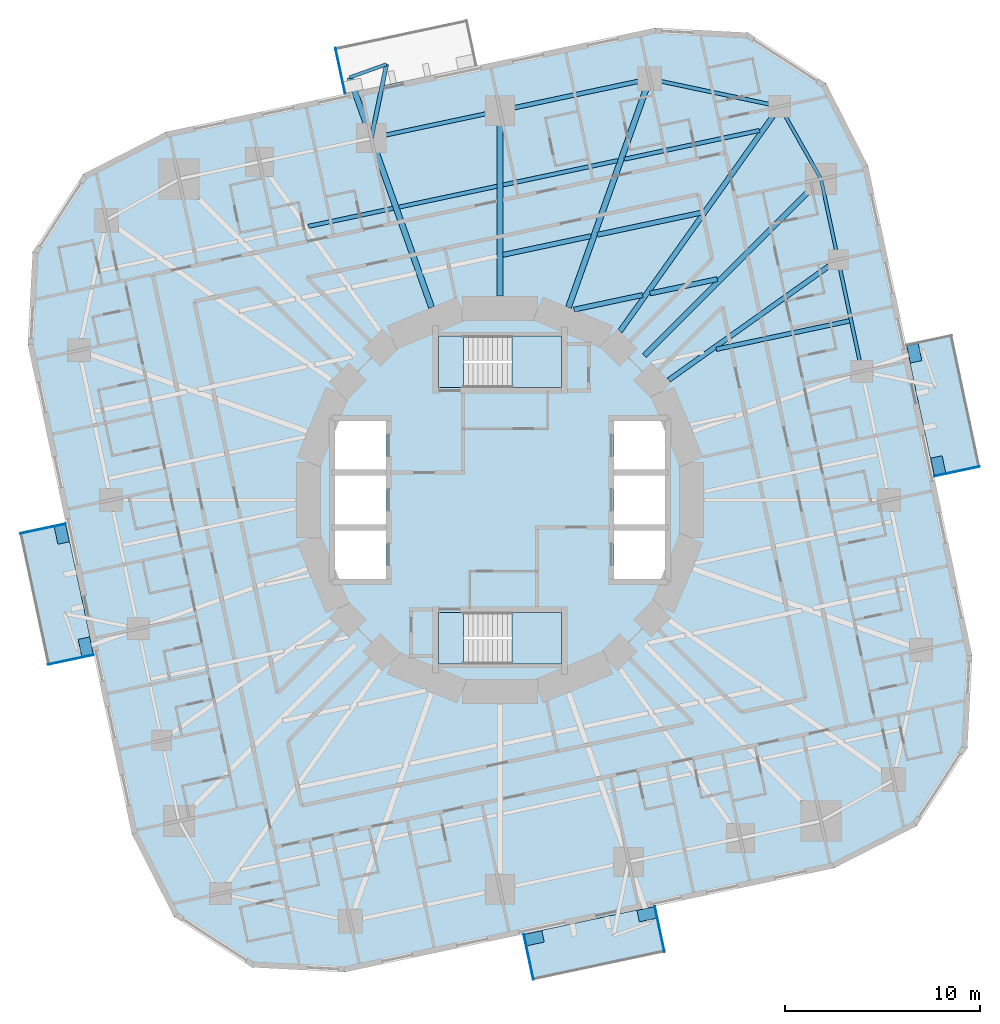
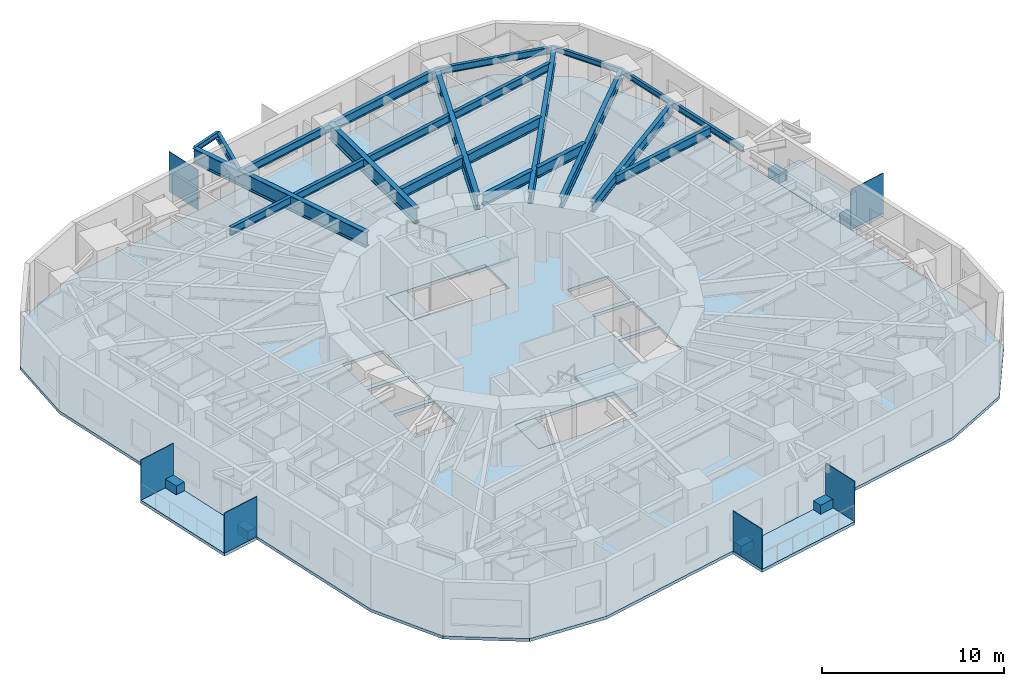
# One storey, part 3 of 14: 23 beams, 12 plates, 8 slabs, 2 elements without a shape of their own.
"""IFC4 building model written with IfcOpenShell, lengths in metres."""

from ifc_helpers import new_model, si_unit, direction, frame, origin, origin_2d, place, context, subcontext, project, spatial, polyline, rectangle, i_section, outline, extrude, material, layer, layer_set, material_profile, profile_set, type_object, element, aggregate, save


model = new_model("IFC4")

# Units and contexts
model_context = context("Model", 3, precision=1e-05, world=origin(), true_north=direction((0.0, 1.0)))
body_context = subcontext(model_context, "Body", "Model", "MODEL_VIEW")
ifc_project = project(units=[si_unit("LENGTHUNIT", "METRE"), si_unit("AREAUNIT", "SQUARE_METRE"), si_unit("VOLUMEUNIT", "CUBIC_METRE"), si_unit("PLANEANGLEUNIT", "RADIAN"), si_unit("MASSUNIT", "GRAM", prefix="KILO")], contexts=[model_context])

# Site, building, storey
site_placement = place(None, origin())
site = spatial("IfcSite", under=ifc_project, at=site_placement, CompositionType="ELEMENT")
building_placement = place(site_placement, origin())
building = spatial("IfcBuilding", under=site, at=building_placement, Name="Nakasero Lantern House", CompositionType="ELEMENT")
storey_placement = place(building_placement, frame((0.0, 0.0, 128.10009765625)))
storey = spatial("IfcBuildingStorey", under=building, at=storey_placement, Name="L31", CompositionType="ELEMENT", Elevation=128.10009765625)

# Beams
ifc_material_1 = material(Name="Steel S355", Category="steel")
ifc_material_profile_1 = material_profile(ifc_material_1, i_section(OverallWidth=0.2138671875, OverallDepth=0.549072265625, WebThickness=0.0146484375, FlangeThickness=0.023681640625, FilletRadius=0.0126953125, at=origin_2d()), Name="UB 533x210x138")
ifc_profile_set_1 = profile_set([ifc_material_profile_1], Name="Steel S355")
beam_type_1 = type_object("IfcBeamType", Name="Balcony splay beam UB 533x210x138", PredefinedType="BEAM", material=ifc_profile_set_1)
beam_1_placement = place(storey_placement, frame((-6.590087890625, 18.534912109375, 3.375244140625), z_axis=(0.201831438605, 0.979420272605, 0.0), x_axis=(-0.979420272605, 0.201831438605, 0.0)))
element("IfcBeam", 1, at=beam_1_placement, inside=storey, type_object=beam_type_1, Name="Balcony splay beam L32 B3-C10A", PredefinedType="BEAM", context=body_context, shape_type="SweptSolid", body=[
    extrude(i_section(OverallWidth=0.2138671875, OverallDepth=0.549072265625, WebThickness=0.0146484375, FlangeThickness=0.023681640625, FilletRadius=0.0126953125, at=origin_2d()), origin(), (0.0, 0.0, 1.0), 3.858642578125),
])
ifc_material_2 = material(Name="Steel S355", Category="steel")
ifc_material_profile_2 = material_profile(ifc_material_2, i_section(OverallWidth=0.17138671875, OverallDepth=0.35498046875, WebThickness=0.00732421875, FlangeThickness=0.011474609375, FilletRadius=0.01025390625, at=origin_2d()), Name="UB 356x171x51")
ifc_profile_set_2 = profile_set([ifc_material_profile_2], Name="Steel S355")
beam_type_2 = type_object("IfcBeamType", Name="Balcony tie beam UB 356x171x51", PredefinedType="BEAM", material=ifc_profile_set_2)
beam_2_placement = place(storey_placement, frame((-5.811279296875, 22.314208984375, 3.472412109375), z_axis=(-0.942196708721, -0.335060236487, 0.0), x_axis=(0.335060236487, -0.942196708721, 0.0)))
element("IfcBeam", 2, at=beam_2_placement, inside=storey, type_object=beam_type_2, Name="Balcony tie beam L32 B3-C10", PredefinedType="BEAM", context=body_context, shape_type="SweptSolid", body=[
    extrude(i_section(OverallWidth=0.17138671875, OverallDepth=0.35498046875, WebThickness=0.00732421875, FlangeThickness=0.011474609375, FilletRadius=0.01025390625, at=origin_2d()), origin(), (0.0, 0.0, 1.0), 2.000244140625),
])
ifc_material_3 = material(Name="Steel S355", Category="steel")
ifc_material_profile_3 = material_profile(ifc_material_3, i_section(OverallWidth=0.2099609375, OverallDepth=0.53662109375, WebThickness=0.0107421875, FlangeThickness=0.017333984375, FilletRadius=0.0126953125, at=origin_2d()), Name="UB 533x210x101")
ifc_profile_set_3 = profile_set([ifc_material_profile_3], Name="Steel S355")
beam_type_3 = type_object("IfcBeamType", Name="Infill beam UB 533x210x101", PredefinedType="JOIST", material=ifc_profile_set_3)
beam_3_placement = place(storey_placement, frame((-9.810302734375, 14.0166015625, 3.381591796875), z_axis=(0.978149057111, 0.207904838982, 0.0), x_axis=(-0.207904838982, 0.978149057111, 0.0)))
element("IfcBeam", 3, at=beam_3_placement, inside=storey, type_object=beam_type_3, Name="Infill beam L32 12.4", PredefinedType="JOIST", context=body_context, shape_type="SweptSolid", body=[
    extrude(i_section(OverallWidth=0.2099609375, OverallDepth=0.53662109375, WebThickness=0.0107421875, FlangeThickness=0.017333984375, FilletRadius=0.0126953125, at=origin_2d()), origin(), (0.0, 0.0, 1.0), 4.435302734375),
])
beam_4_placement = place(storey_placement, frame((-5.173828125, 15.002197265625, 3.381591796875), z_axis=(0.978153894908, 0.207882076853, 0.0), x_axis=(-0.207882076853, 0.978153894908, 0.0)))
element("IfcBeam", 4, at=beam_4_placement, inside=storey, type_object=beam_type_3, Name="Infill beam L32 12.5", PredefinedType="JOIST", context=body_context, shape_type="SweptSolid", body=[
    extrude(i_section(OverallWidth=0.2099609375, OverallDepth=0.53662109375, WebThickness=0.0107421875, FlangeThickness=0.017333984375, FilletRadius=0.0126953125, at=origin_2d()), origin(), (0.0, 0.0, 1.0), 5.13330078125),
])
beam_5_placement = place(storey_placement, frame((0.152587890625, 16.13427734375, 3.381591796875), z_axis=(0.978149438519, 0.207903044531, 0.0), x_axis=(-0.207903044531, 0.978149438519, 0.0)))
element("IfcBeam", 5, at=beam_5_placement, inside=storey, type_object=beam_type_3, Name="Infill beam L32 12.6", PredefinedType="JOIST", context=body_context, shape_type="SweptSolid", body=[
    extrude(i_section(OverallWidth=0.2099609375, OverallDepth=0.53662109375, WebThickness=0.0107421875, FlangeThickness=0.017333984375, FilletRadius=0.0126953125, at=origin_2d()), origin(), (0.0, 0.0, 1.0), 5.99951171875),
])
beam_6_placement = place(storey_placement, frame((6.365478515625, 17.454833984375, 3.381591796875), z_axis=(0.978149480204, 0.207902848411, 0.0), x_axis=(-0.207902848411, 0.978149480204, 0.0)))
element("IfcBeam", 6, at=beam_6_placement, inside=storey, type_object=beam_type_3, Name="Infill beam L32 12.7", PredefinedType="JOIST", context=body_context, shape_type="SweptSolid", body=[
    extrude(i_section(OverallWidth=0.2099609375, OverallDepth=0.53662109375, WebThickness=0.0107421875, FlangeThickness=0.017333984375, FilletRadius=0.0126953125, at=origin_2d()), origin(), (0.0, 0.0, 1.0), 7.085693359375),
])
ifc_material_4 = material(Name="Steel S355", Category="steel")
ifc_material_profile_4 = material_profile(ifc_material_4, i_section(OverallWidth=0.2275390625, OverallDepth=0.6025390625, WebThickness=0.010498046875, FlangeThickness=0.014892578125, FilletRadius=0.0126953125, at=origin_2d()), Name="UB 610x229x101")
ifc_profile_set_4 = profile_set([ifc_material_profile_4], Name="Steel S355")
beam_type_4 = type_object("IfcBeamType", Name="Infill beam UB 610x229x101", PredefinedType="JOIST", material=ifc_profile_set_4)
beam_7_placement = place(storey_placement, frame((11.077880859375, 7.721923828125, 3.3486328125), z_axis=(0.978143535939, 0.207930813255, 0.0), x_axis=(-0.207930813255, 0.978143535939, 0.0)))
element("IfcBeam", 7, at=beam_7_placement, inside=storey, type_object=beam_type_4, Name="Infill beam L32 09.3", PredefinedType="JOIST", context=body_context, shape_type="SweptSolid", body=[
    extrude(i_section(OverallWidth=0.2275390625, OverallDepth=0.6025390625, WebThickness=0.010498046875, FlangeThickness=0.014892578125, FilletRadius=0.0126953125, at=origin_2d()), origin(), (0.0, 0.0, 1.0), 6.9697265625),
])
ifc_material_5 = material(Name="Steel S355", Category="steel")
ifc_material_profile_5 = material_profile(ifc_material_5, i_section(OverallWidth=0.253662109375, OverallDepth=0.68359375, WebThickness=0.012451171875, FlangeThickness=0.01904296875, FilletRadius=0.01513671875, at=origin_2d()), Name="UB 686x254x140")
ifc_profile_set_5 = profile_set([ifc_material_profile_5], Name="Steel S355")
beam_type_5 = type_object("IfcBeamType", Name="Infill beam UB 686x254x140", PredefinedType="JOIST", material=ifc_profile_set_5)
beam_8_placement = place(storey_placement, frame((0.152587890625, 12.55615234375, 3.30810546875), z_axis=(0.978148041119, 0.207909618957, 0.0), x_axis=(-0.207909618957, 0.978148041119, 0.0)))
element("IfcBeam", 8, at=beam_8_placement, inside=storey, type_object=beam_type_5, Name="Infill beam L32 11.5", PredefinedType="JOIST", context=body_context, shape_type="SweptSolid", body=[
    extrude(i_section(OverallWidth=0.253662109375, OverallDepth=0.68359375, WebThickness=0.012451171875, FlangeThickness=0.01904296875, FilletRadius=0.01513671875, at=origin_2d()), origin(), (0.0, 0.0, 1.0), 4.592529296875),
])
beam_9_placement = place(storey_placement, frame((4.989013671875, 13.584228515625, 3.30810546875), z_axis=(0.978155764637, 0.207873278962, 0.0), x_axis=(-0.207873278962, 0.978155764637, 0.0)))
element("IfcBeam", 9, at=beam_9_placement, inside=storey, type_object=beam_type_5, Name="Infill beam L32 11.6", PredefinedType="JOIST", context=body_context, shape_type="SweptSolid", body=[
    extrude(i_section(OverallWidth=0.253662109375, OverallDepth=0.68359375, WebThickness=0.012451171875, FlangeThickness=0.01904296875, FilletRadius=0.01513671875, at=origin_2d()), origin(), (0.0, 0.0, 1.0), 5.428466796875),
])
ifc_material_6 = material(Name="Steel S355", Category="steel")
ifc_material_profile_6 = material_profile(ifc_material_6, i_section(OverallWidth=0.255859375, OverallDepth=0.69287109375, WebThickness=0.014404296875, FlangeThickness=0.023681640625, FilletRadius=0.01513671875, at=origin_2d()), Name="UB 686x254x170")
ifc_profile_set_6 = profile_set([ifc_material_profile_6], Name="Steel S355")
beam_type_6 = type_object("IfcBeamType", Name="Infill beam UB 686x254x170", PredefinedType="JOIST", material=ifc_profile_set_6)
beam_10_placement = place(storey_placement, frame((3.78759765625, 9.75048828125, 3.303466796875), z_axis=(0.978149176892, 0.207904275439, 0.0), x_axis=(-0.207904275439, 0.978149176892, 0.0)))
element("IfcBeam", 10, at=beam_10_placement, inside=storey, type_object=beam_type_6, Name="Infill beam L32 10.4", PredefinedType="JOIST", context=body_context, shape_type="SweptSolid", body=[
    extrude(i_section(OverallWidth=0.255859375, OverallDepth=0.69287109375, WebThickness=0.014404296875, FlangeThickness=0.023681640625, FilletRadius=0.01513671875, at=origin_2d()), origin(), (0.0, 0.0, 1.0), 3.59228515625),
])
beam_11_placement = place(storey_placement, frame((7.686767578125, 10.579345703125, 3.303466796875), z_axis=(0.978149156314, 0.207904372253, 0.0), x_axis=(-0.207904372253, 0.978149156314, 0.0)))
element("IfcBeam", 11, at=beam_11_placement, inside=storey, type_object=beam_type_6, Name="Infill beam L32 10.5", PredefinedType="JOIST", context=body_context, shape_type="SweptSolid", body=[
    extrude(i_section(OverallWidth=0.255859375, OverallDepth=0.69287109375, WebThickness=0.014404296875, FlangeThickness=0.023681640625, FilletRadius=0.01513671875, at=origin_2d()), origin(), (0.0, 0.0, 1.0), 3.5205078125),
])
ifc_material_7 = material(Name="Steel S355", Category="steel")
ifc_material_profile_7 = material_profile(ifc_material_7, i_section(OverallWidth=0.300048828125, OverallDepth=0.989990234375, WebThickness=0.0166015625, FlangeThickness=0.031005859375, FilletRadius=0.030029296875, at=origin_2d()), Name="UB 1016x305x272")
ifc_profile_set_7 = profile_set([ifc_material_profile_7], Name="Steel S355")
beam_type_7 = type_object("IfcBeamType", Name="Primary beam UB 1016x305x272, span 12 to 15 m", PredefinedType="BEAM", material=ifc_profile_set_7)
beam_12_placement = place(storey_placement, frame((7.667724609375, 21.5654296875, 3.15478515625), z_axis=(-0.335011995103, -0.942213862739, 0.0), x_axis=(0.942213862739, -0.335011995103, 0.0)))
element("IfcBeam", 12, at=beam_12_placement, inside=storey, type_object=beam_type_7, Name="Primary beam L32 B3-C08", PredefinedType="BEAM", context=body_context, shape_type="SweptSolid", body=[
    extrude(i_section(OverallWidth=0.300048828125, OverallDepth=0.989990234375, WebThickness=0.0166015625, FlangeThickness=0.031005859375, FilletRadius=0.030029296875, at=origin_2d()), origin(), (0.0, 0.0, 1.0), 12.41650390625),
])
ifc_material_8 = material(Name="Steel S355", Category="steel")
ifc_material_profile_8 = material_profile(ifc_material_8, i_section(OverallWidth=0.302001953125, OverallDepth=1.008056640625, WebThickness=0.02099609375, FlangeThickness=0.0400390625, FilletRadius=0.030029296875, at=origin_2d()), Name="UB 1016x305x349")
ifc_profile_set_8 = profile_set([ifc_material_profile_8], Name="Steel S355")
beam_type_8 = type_object("IfcBeamType", Name="Primary beam UB 1016x305x349, span 9 to 12 m", PredefinedType="BEAM", material=ifc_profile_set_8)
beam_13_placement = place(storey_placement, frame((-7.69580078125, 21.64404296875, 3.145751953125), z_axis=(0.335020841845, -0.942210717159, 0.0), x_axis=(0.942210717159, 0.335020841845, 0.0)))
element("IfcBeam", 13, at=beam_13_placement, inside=storey, type_object=beam_type_8, Name="Primary beam L32 B3-C10", PredefinedType="BEAM", context=body_context, shape_type="SweptSolid", body=[
    extrude(i_section(OverallWidth=0.302001953125, OverallDepth=1.008056640625, WebThickness=0.02099609375, FlangeThickness=0.0400390625, FilletRadius=0.030029296875, at=origin_2d()), origin(), (0.0, 0.0, 1.0), 12.5),
])
ifc_material_9 = material(Name="Steel S355", Category="steel")
ifc_material_profile_9 = material_profile(ifc_material_9, i_section(OverallWidth=0.305419921875, OverallDepth=1.026123046875, WebThickness=0.02685546875, FlangeThickness=0.049072265625, FilletRadius=0.030029296875, at=origin_2d()), Name="UB 1016x305x437")
ifc_profile_set_9 = profile_set([ifc_material_profile_9], Name="Steel S355")
beam_type_9 = type_object("IfcBeamType", Name="Primary beam UB 1016x305x437, span 9 to 12 m", PredefinedType="BEAM", material=ifc_profile_set_9)
beam_14_placement = place(storey_placement, frame((0.0, 19.935546875, 3.136962890625), z_axis=(0.0, -1.0, 0.0), x_axis=(1.0, 0.0, 0.0)))
element("IfcBeam", 14, at=beam_14_placement, inside=storey, type_object=beam_type_9, Name="Primary beam L32 B3-C09", PredefinedType="BEAM", context=body_context, shape_type="SweptSolid", body=[
    extrude(i_section(OverallWidth=0.305419921875, OverallDepth=1.026123046875, WebThickness=0.02685546875, FlangeThickness=0.049072265625, FilletRadius=0.030029296875, at=origin_2d()), origin(), (0.0, 0.0, 1.0), 9.477783203125),
])
ifc_material_10 = material(Name="Steel S355", Category="steel")
ifc_material_profile_10 = material_profile(ifc_material_10, i_section(OverallWidth=0.253662109375, OverallDepth=0.68359375, WebThickness=0.012451171875, FlangeThickness=0.01904296875, FilletRadius=0.01513671875, at=origin_2d()), Name="UB 686x254x140")
ifc_profile_set_10 = profile_set([ifc_material_profile_10], Name="Steel S355")
beam_type_10 = type_object("IfcBeamType", Name="Primary beam UB 686x254x140, span 9 to 12 m", PredefinedType="BEAM", material=ifc_profile_set_10)
beam_15_placement = place(storey_placement, frame((17.318115234375, 12.31494140625, 3.30810546875), z_axis=(-0.814957491022, -0.579520739774, 0.0), x_axis=(0.579520739774, -0.814957491022, 0.0)))
element("IfcBeam", 15, at=beam_15_placement, inside=storey, type_object=beam_type_10, Name="Primary beam L32 B3-C05", PredefinedType="BEAM", context=body_context, shape_type="SweptSolid", body=[
    extrude(i_section(OverallWidth=0.253662109375, OverallDepth=0.68359375, WebThickness=0.012451171875, FlangeThickness=0.01904296875, FilletRadius=0.01513671875, at=origin_2d()), origin(), (0.0, 0.0, 1.0), 10.64453125),
])
ifc_material_11 = material(Name="Steel S355", Category="steel")
ifc_material_profile_11 = material_profile(ifc_material_11, i_section(OverallWidth=0.255859375, OverallDepth=0.69287109375, WebThickness=0.014404296875, FlangeThickness=0.023681640625, FilletRadius=0.01513671875, at=origin_2d()), Name="UB 686x254x170")
ifc_profile_set_11 = profile_set([ifc_material_profile_11], Name="Steel S355")
beam_type_11 = type_object("IfcBeamType", Name="Primary beam UB 686x254x170, span 12 to 15 m", PredefinedType="BEAM", material=ifc_profile_set_11)
beam_16_placement = place(storey_placement, frame((16.44091796875, 16.44091796875, 3.303466796875), z_axis=(-0.707106781187, -0.707106781187, 0.0), x_axis=(0.707106781187, -0.707106781187, 0.0)))
element("IfcBeam", 16, at=beam_16_placement, inside=storey, type_object=beam_type_11, Name="Primary beam L32 B3-C06", PredefinedType="BEAM", context=body_context, shape_type="SweptSolid", body=[
    extrude(i_section(OverallWidth=0.255859375, OverallDepth=0.69287109375, WebThickness=0.014404296875, FlangeThickness=0.023681640625, FilletRadius=0.01513671875, at=origin_2d()), origin(), (0.0, 0.0, 1.0), 12.793212890625),
])
ifc_material_12 = material(Name="Steel S355", Category="steel")
ifc_material_profile_12 = material_profile(ifc_material_12, i_section(OverallWidth=0.2666015625, OverallDepth=0.76220703125, WebThickness=0.014404296875, FlangeThickness=0.021484375, FilletRadius=0.0166015625, at=origin_2d()), Name="UB 762x267x173")
ifc_profile_set_12 = profile_set([ifc_material_profile_12], Name="Steel S355")
beam_type_12 = type_object("IfcBeamType", Name="Primary beam UB 762x267x173, span 12 to 15 m", PredefinedType="BEAM", material=ifc_profile_set_12)
beam_17_placement = place(storey_placement, frame((14.33349609375, 20.15625, 3.268798828125), z_axis=(-0.57953679421, -0.814946074386, 0.0), x_axis=(0.814946074386, -0.57953679421, 0.0)))
element("IfcBeam", 17, at=beam_17_placement, inside=storey, type_object=beam_type_12, Name="Primary beam L32 B3-C07", PredefinedType="BEAM", context=body_context, shape_type="SweptSolid", body=[
    extrude(i_section(OverallWidth=0.2666015625, OverallDepth=0.76220703125, WebThickness=0.014404296875, FlangeThickness=0.021484375, FilletRadius=0.0166015625, at=origin_2d()), origin(), (0.0, 0.0, 1.0), 14.127197265625),
])
ifc_material_13 = material(Name="Steel S355", Category="steel")
ifc_material_profile_13 = material_profile(ifc_material_13, i_section(OverallWidth=0.17138671875, OverallDepth=0.35498046875, WebThickness=0.00732421875, FlangeThickness=0.011474609375, FilletRadius=0.01025390625, at=origin_2d()), Name="UB 356x171x51")
ifc_profile_set_13 = profile_set([ifc_material_profile_13], Name="Steel S355")
beam_type_13 = type_object("IfcBeamType", Name="Ring beam UB 356x171x51", PredefinedType="BEAM", material=ifc_profile_set_13)
beam_18_placement = place(storey_placement, frame((17.318115234375, 12.31494140625, 3.472412109375), z_axis=(-0.207955665195, 0.978138252658, 0.0), x_axis=(-0.978138252658, -0.207955665195, 0.0)))
element("IfcBeam", 18, at=beam_18_placement, inside=storey, type_object=beam_type_13, Name="Ring beam L32 B3-C05", PredefinedType="BEAM", context=body_context, shape_type="SweptSolid", body=[
    extrude(i_section(OverallWidth=0.17138671875, OverallDepth=0.35498046875, WebThickness=0.00732421875, FlangeThickness=0.011474609375, FilletRadius=0.01025390625, at=origin_2d()), origin(), (0.0, 0.0, 1.0), 4.21826171875),
])
beam_19_placement = place(storey_placement, frame((16.44091796875, 16.44091796875, 3.472412109375), z_axis=(-0.493378832737, 0.869814536213, 0.0), x_axis=(-0.869814536213, -0.493378832737, 0.0)))
element("IfcBeam", 19, at=beam_19_placement, inside=storey, type_object=beam_type_13, Name="Ring beam L32 B3-C06", PredefinedType="BEAM", context=body_context, shape_type="SweptSolid", body=[
    extrude(i_section(OverallWidth=0.17138671875, OverallDepth=0.35498046875, WebThickness=0.00732421875, FlangeThickness=0.011474609375, FilletRadius=0.01025390625, at=origin_2d()), origin(), (0.0, 0.0, 1.0), 4.271484375),
])
ifc_material_14 = material(Name="Steel S355", Category="steel")
ifc_material_profile_14 = material_profile(ifc_material_14, i_section(OverallWidth=0.177978515625, OverallDepth=0.406494140625, WebThickness=0.0078125, FlangeThickness=0.0126953125, FilletRadius=0.01025390625, at=origin_2d()), Name="UB 406x178x60")
ifc_profile_set_14 = profile_set([ifc_material_profile_14], Name="Steel S355")
beam_type_14 = type_object("IfcBeamType", Name="Ring beam UB 406x178x60", PredefinedType="BEAM", material=ifc_profile_set_14)
beam_20_placement = place(storey_placement, frame((18.534912109375, 6.590087890625, 3.44677734375), z_axis=(-0.207902159541, 0.978149626621, 0.0), x_axis=(-0.978149626621, -0.207902159541, 0.0)))
element("IfcBeam", 20, at=beam_20_placement, inside=storey, type_object=beam_type_14, Name="Ring beam L32 B3-C04", PredefinedType="BEAM", context=body_context, shape_type="SweptSolid", body=[
    extrude(i_section(OverallWidth=0.177978515625, OverallDepth=0.406494140625, WebThickness=0.0078125, FlangeThickness=0.0126953125, FilletRadius=0.01025390625, at=origin_2d()), origin(), (0.0, 0.0, 1.0), 5.852783203125),
])
ifc_material_15 = material(Name="Steel S355", Category="steel")
ifc_material_profile_15 = material_profile(ifc_material_15, i_section(OverallWidth=0.18994140625, OverallDepth=0.453369140625, WebThickness=0.008544921875, FlangeThickness=0.0126953125, FilletRadius=0.01025390625, at=origin_2d()), Name="UB 457x191x67")
ifc_profile_set_15 = profile_set([ifc_material_profile_15], Name="Steel S355")
beam_type_15 = type_object("IfcBeamType", Name="Ring beam UB 457x191x67", PredefinedType="BEAM", material=ifc_profile_set_15)
beam_21_placement = place(storey_placement, frame((14.33349609375, 20.15625, 3.423095703125), z_axis=(-0.978376066473, 0.206833925052, 0.0), x_axis=(-0.206833925052, -0.978376066473, 0.0)))
element("IfcBeam", 21, at=beam_21_placement, inside=storey, type_object=beam_type_15, Name="Ring beam L32 B3-C07", PredefinedType="BEAM", context=body_context, shape_type="SweptSolid", body=[
    extrude(i_section(OverallWidth=0.18994140625, OverallDepth=0.453369140625, WebThickness=0.008544921875, FlangeThickness=0.0126953125, FilletRadius=0.01025390625, at=origin_2d()), origin(), (0.0, 0.0, 1.0), 6.81298828125),
])
ifc_material_16 = material(Name="Steel S355", Category="steel")
ifc_material_profile_16 = material_profile(ifc_material_16, i_section(OverallWidth=0.2099609375, OverallDepth=0.53662109375, WebThickness=0.0107421875, FlangeThickness=0.017333984375, FilletRadius=0.0126953125, at=origin_2d()), Name="UB 533x210x101")
ifc_profile_set_16 = profile_set([ifc_material_profile_16], Name="Steel S355")
beam_type_16 = type_object("IfcBeamType", Name="Ring beam UB 533x210x101", PredefinedType="BEAM", material=ifc_profile_set_16)
beam_22_placement = place(storey_placement, frame((0.0, 19.935546875, 3.381591796875), z_axis=(-0.978151574702, -0.20789299389, 0.0), x_axis=(0.20789299389, -0.978151574702, 0.0)))
element("IfcBeam", 22, at=beam_22_placement, inside=storey, type_object=beam_type_16, Name="Ring beam L32 B3-C09", PredefinedType="BEAM", context=body_context, shape_type="SweptSolid", body=[
    extrude(i_section(OverallWidth=0.2099609375, OverallDepth=0.53662109375, WebThickness=0.0107421875, FlangeThickness=0.017333984375, FilletRadius=0.0126953125, at=origin_2d()), origin(), (0.0, 0.0, 1.0), 6.7373046875),
])
ifc_material_17 = material(Name="Steel S355", Category="steel")
ifc_material_profile_17 = material_profile(ifc_material_17, i_section(OverallWidth=0.22900390625, OverallDepth=0.6123046875, WebThickness=0.011962890625, FlangeThickness=0.01953125, FilletRadius=0.0126953125, at=origin_2d()), Name="UB 610x229x125")
ifc_profile_set_17 = profile_set([ifc_material_profile_17], Name="Steel S355")
beam_type_17 = type_object("IfcBeamType", Name="Ring beam UB 610x229x125", PredefinedType="BEAM", material=ifc_profile_set_17)
beam_23_placement = place(storey_placement, frame((7.667724609375, 21.5654296875, 3.34375), z_axis=(-0.978146105516, -0.207918725139, 0.0), x_axis=(0.207918725139, -0.978146105516, 0.0)))
element("IfcBeam", 23, at=beam_23_placement, inside=storey, type_object=beam_type_17, Name="Ring beam L32 B3-C08", PredefinedType="BEAM", context=body_context, shape_type="SweptSolid", body=[
    extrude(i_section(OverallWidth=0.22900390625, OverallDepth=0.6123046875, WebThickness=0.011962890625, FlangeThickness=0.01953125, FilletRadius=0.0126953125, at=origin_2d()), origin(), (0.0, 0.0, 1.0), 7.839111328125),
])

# Plates
ifc_material_18 = material(Name="Aluminium 6063-T6", Category="aluminium")
ifc_layer_1 = layer(ifc_material_18, 0.60009765625)
ifc_layer_set_1 = layer_set([ifc_layer_1], Name="Balcony planter 600x900")
plate_type_1 = type_object("IfcPlateType", Name="Balcony planter 600x900", PredefinedType="USERDEFINED", material=ifc_layer_set_1)
for number, where, z_axis, x_axis, name in (
    (24, (22.443603515625, 1.764892578125, -0.000244140625), (0.0, 0.0, 1.0), (0.978147600734, 0.207911690818, 0.0), "Balcony PLANTER L31 BAL0A"),
    (25, (21.220947265625, 7.516357421875, -0.000244140625), (0.0, 0.0, 1.0), (0.978147600734, 0.207911690818, 0.0), "Balcony PLANTER L31 BAL0B"),
    (26, (-22.443603515625, -1.764892578125, -0.000244140625), (0.0, 0.0, 1.0), (-0.978147600734, -0.207911690818, 0.0), "Balcony PLANTER L31 BAL2A"),
    (27, (-21.220947265625, -7.516357421875, -0.000244140625), (0.0, 0.0, 1.0), (-0.978147600734, -0.207911690818, 0.0), "Balcony PLANTER L31 BAL2B"),
    (28, (1.764892578125, -22.443603515625, -0.000244140625), (0.0, 0.0, 1.0), (0.207911690818, -0.978147600734, 0.0), "Balcony PLANTER L31 BAL3A"),
    (29, (7.516357421875, -21.220947265625, -0.000244140625), (0.0, 0.0, 1.0), (0.207911690818, -0.978147600734, 0.0), "Balcony PLANTER L31 BAL3B"),
):
    element("IfcPlate", number, at=place(storey_placement, frame(where, z_axis=z_axis, x_axis=x_axis)), inside=storey, type_object=plate_type_1, Name=name, ObjectType="PLANTER", PredefinedType="USERDEFINED", context=body_context, shape_type="SweptSolid", body=[
        extrude(rectangle(XDim=0.60009765625, YDim=0.89990234375, at=origin_2d()), origin(), (0.0, 0.0, 1.0), 0.60009765625),
    ])
ifc_material_19 = material(Name="Aluminium 6063-T6", Category="aluminium")
ifc_layer_2 = layer(ifc_material_19, 0.0400390625)
ifc_layer_set_2 = layer_set([ifc_layer_2], Name="Balcony screen 2400x2700")
plate_type_2 = type_object("IfcPlateType", Name="Balcony screen 2400x2700", PredefinedType="SHEET", material=ifc_layer_set_2)
for number, where, z_axis, x_axis, name in (
    (30, (23.40625, 1.468505859375, 0.0), (0.0, 0.0, 1.0), (0.978147600734, 0.207911690818, 0.0), "Balcony SCREEN L31 BAL0A"),
    (31, (-8.1787109375, 21.97998046875, 0.0), (0.0, 0.0, 1.0), (-0.207911690818, 0.978147600734, 0.0), "Balcony SCREEN L31 BAL1B"),
    (32, (-23.40625, -1.468505859375, 0.0), (0.0, 0.0, 1.0), (-0.978147600734, -0.207911690818, 0.0), "Balcony SCREEN L31 BAL2A"),
    (33, (-21.97998046875, -8.1787109375, 0.0), (0.0, 0.0, 1.0), (-0.978147600734, -0.207911690818, 0.0), "Balcony SCREEN L31 BAL2B"),
    (34, (1.468505859375, -23.40625, 0.0), (0.0, 0.0, 1.0), (0.207911690818, -0.978147600734, 0.0), "Balcony SCREEN L31 BAL3A"),
    (35, (8.1787109375, -21.97998046875, 0.0), (0.0, 0.0, 1.0), (0.207911690818, -0.978147600734, 0.0), "Balcony SCREEN L31 BAL3B"),
):
    element("IfcPlate", number, at=place(storey_placement, frame(where, z_axis=z_axis, x_axis=x_axis)), inside=storey, type_object=plate_type_2, Name=name, PredefinedType="SHEET", context=body_context, shape_type="SweptSolid", body=[
        extrude(rectangle(XDim=2.39990234375, YDim=0.0400390625, at=origin_2d()), origin(), (0.0, 0.0, 1.0), 2.699951171875),
    ])

# Slabs
ifc_material_20 = material(Name="Concrete C35/45", Category="concrete")
ifc_layer_3 = layer(ifc_material_20, 0.199951171875)
ifc_layer_set_3 = layer_set([ifc_layer_3], Name="Balcony slab 200")
slab_type_1 = type_object("IfcSlabType", Name="Balcony slab 200", PredefinedType="USERDEFINED", material=ifc_layer_set_3)
slab_1_placement = place(storey_placement, frame((0.0, 0.0, -0.2001953125)))
element("IfcSlab", 36, at=slab_1_placement, inside=storey, type_object=slab_type_1, Name="Balcony L31 BAL0", ObjectType="BALCONY", PredefinedType="USERDEFINED", context=body_context, shape_type="SweptSolid", body=[
    extrude(outline(polyline([(22.236572265625, 1.199462890625), (24.583984375, 1.698486328125), (23.1494140625, 8.44775390625), (20.802001953125, 7.94873046875), (22.236572265625, 1.199462890625)])), origin(), (0.0, 0.0, 1.0), 0.2001953125),
])
slab_2_placement = place(storey_placement, frame((0.0, 0.0, -0.2001953125)))
element("IfcSlab", 37, at=slab_2_placement, inside=storey, type_object=slab_type_1, Name="Balcony L31 BAL2", ObjectType="BALCONY", PredefinedType="USERDEFINED", context=body_context, shape_type="SweptSolid", body=[
    extrude(outline(polyline([(-22.236572265625, -1.199462890625), (-24.583984375, -1.698486328125), (-23.1494140625, -8.44775390625), (-20.802001953125, -7.94873046875), (-22.236572265625, -1.199462890625)])), origin(), (0.0, 0.0, 1.0), 0.2001953125),
])
slab_3_placement = place(storey_placement, frame((0.0, 0.0, -0.2001953125)))
element("IfcSlab", 38, at=slab_3_placement, inside=storey, type_object=slab_type_1, Name="Balcony L31 BAL3", ObjectType="BALCONY", PredefinedType="USERDEFINED", context=body_context, shape_type="SweptSolid", body=[
    extrude(outline(polyline([(1.199462890625, -22.236572265625), (1.698486328125, -24.583984375), (8.44775390625, -23.1494140625), (7.94873046875, -20.802001953125), (1.199462890625, -22.236572265625)])), origin(), (0.0, 0.0, 1.0), 0.2001953125),
])
ifc_material_21 = material(Name="Concrete C35/45", Category="concrete")
ifc_layer_4 = layer(ifc_material_21, 0.199951171875)
ifc_layer_set_4 = layer_set([ifc_layer_4], Name="Composite floor slab 200")
slab_type_2 = type_object("IfcSlabType", Name="Composite floor slab 200", PredefinedType="FLOOR", material=ifc_layer_set_4)
slab_4_placement = place(storey_placement, frame((0.0, 0.0, -0.2001953125)))
element("IfcSlab", 39, at=slab_4_placement, inside=storey, type_object=slab_type_2, Name="Floor slab L31", PredefinedType="FLOOR", context=body_context, shape_type="SweptSolid", body=[
    extrude(outline(polyline([(18.85791015625, 17.09423828125), (16.696044921875, 21.337646484375), (12.701904296875, 23.931396484375), (7.9462890625, 24.180419921875), (-17.09423828125, 18.85791015625), (-21.337646484375, 16.696044921875), (-23.931396484375, 12.701904296875), (-24.180419921875, 7.9462890625), (-18.85791015625, -17.09423828125), (-16.696044921875, -21.337646484375), (-12.701904296875, -23.931396484375), (-7.9462890625, -24.180419921875), (17.09423828125, -18.85791015625), (21.337646484375, -16.696044921875), (23.931396484375, -12.701904296875), (24.180419921875, -7.9462890625), (18.85791015625, 17.09423828125)]), holes=[polyline([(-8.449951171875, -4.050048828125), (-5.85009765625, -4.050048828125), (-5.85009765625, -1.550048828125), (-8.449951171875, -1.550048828125), (-8.449951171875, -4.050048828125)]), polyline([(-8.449951171875, -1.25), (-5.85009765625, -1.25), (-5.85009765625, 1.25), (-8.449951171875, 1.25), (-8.449951171875, -1.25)]), polyline([(-8.449951171875, 1.550048828125), (-5.85009765625, 1.550048828125), (-5.85009765625, 4.050048828125), (-8.449951171875, 4.050048828125), (-8.449951171875, 1.550048828125)]), polyline([(5.85009765625, -4.050048828125), (8.449951171875, -4.050048828125), (8.449951171875, -1.550048828125), (5.85009765625, -1.550048828125), (5.85009765625, -4.050048828125)]), polyline([(5.85009765625, -1.25), (8.449951171875, -1.25), (8.449951171875, 1.25), (5.85009765625, 1.25), (5.85009765625, -1.25)]), polyline([(5.85009765625, 1.550048828125), (8.449951171875, 1.550048828125), (8.449951171875, 4.050048828125), (5.85009765625, 4.050048828125), (5.85009765625, 1.550048828125)]), polyline([(-3.14990234375, 5.75), (3.14990234375, 5.75), (3.14990234375, 8.39990234375), (-3.14990234375, 8.39990234375), (-3.14990234375, 5.75)]), polyline([(-3.14990234375, -8.39990234375), (3.14990234375, -8.39990234375), (3.14990234375, -5.75), (-3.14990234375, -5.75), (-3.14990234375, -8.39990234375)])]), origin(), (0.0, 0.0, 1.0), 0.2001953125),
])

# Stair, slabs
ifc_material_22 = material(Name="Concrete C40/50", Category="concrete")
stair_type_1 = type_object("IfcStairType", Name="Escape stair ST1 22 risers", PredefinedType="HALF_TURN_STAIR", material=ifc_material_22)
stair_1_placement = place(storey_placement, origin())
stair_1 = element("IfcStair", 40, at=stair_1_placement, inside=storey, type_object=stair_type_1, Name="Escape stair ST1 L31", PredefinedType="HALF_TURN_STAIR")
ifc_material_23 = material(Name="Concrete C40/50", Category="concrete")
ifc_layer_5 = layer(ifc_material_23, 0.199951171875)
ifc_layer_set_5 = layer_set([ifc_layer_5], Name="Stair landing 200")
slab_type_3 = type_object("IfcSlabType", Name="Stair landing 200", PredefinedType="LANDING", material=ifc_layer_set_5)
slab_5_placement = place(storey_placement, frame((0.0, 0.0, -0.2001953125)))
slab_5 = element("IfcSlab", 41, at=slab_5_placement, type_object=slab_type_3, Name="ST1 landing 1", PredefinedType="LANDING", context=body_context, shape_type="SweptSolid", body=[
    extrude(outline(polyline([(-3.14990234375, 5.75), (-1.875, 5.75), (-1.875, 8.39990234375), (-3.14990234375, 8.39990234375), (-3.14990234375, 5.75)])), origin(), (0.0, 0.0, 1.0), 0.2001953125),
])
slab_6_placement = place(storey_placement, frame((0.0, 0.0, 1.724853515625)))
slab_6 = element("IfcSlab", 42, at=slab_6_placement, type_object=slab_type_3, Name="ST1 landing 2", PredefinedType="LANDING", context=body_context, shape_type="SweptSolid", body=[
    extrude(outline(polyline([(0.625, 5.75), (3.14990234375, 5.75), (3.14990234375, 8.39990234375), (0.625, 8.39990234375), (0.625, 5.75)])), origin(), (0.0, 0.0, 1.0), 0.199951171875),
])
aggregate(stair_1, [slab_5, slab_6])

ifc_material_24 = material(Name="Concrete C40/50", Category="concrete")
stair_type_2 = type_object("IfcStairType", Name="Escape stair ST2 22 risers", PredefinedType="HALF_TURN_STAIR", material=ifc_material_24)
stair_2_placement = place(storey_placement, origin())
stair_2 = element("IfcStair", 43, at=stair_2_placement, inside=storey, type_object=stair_type_2, Name="Escape stair ST2 L31", PredefinedType="HALF_TURN_STAIR")
slab_7_placement = place(storey_placement, frame((0.0, 0.0, -0.2001953125)))
slab_7 = element("IfcSlab", 44, at=slab_7_placement, type_object=slab_type_3, Name="ST2 landing 1", PredefinedType="LANDING", context=body_context, shape_type="SweptSolid", body=[
    extrude(outline(polyline([(-3.14990234375, -8.39990234375), (-1.875, -8.39990234375), (-1.875, -5.75), (-3.14990234375, -5.75), (-3.14990234375, -8.39990234375)])), origin(), (0.0, 0.0, 1.0), 0.2001953125),
])
slab_8_placement = place(storey_placement, frame((0.0, 0.0, 1.724853515625)))
slab_8 = element("IfcSlab", 45, at=slab_8_placement, type_object=slab_type_3, Name="ST2 landing 2", PredefinedType="LANDING", context=body_context, shape_type="SweptSolid", body=[
    extrude(outline(polyline([(0.625, -8.39990234375), (3.14990234375, -8.39990234375), (3.14990234375, -5.75), (0.625, -5.75), (0.625, -8.39990234375)])), origin(), (0.0, 0.0, 1.0), 0.199951171875),
])
aggregate(stair_2, [slab_7, slab_8])

save(model, "model.ifc")
